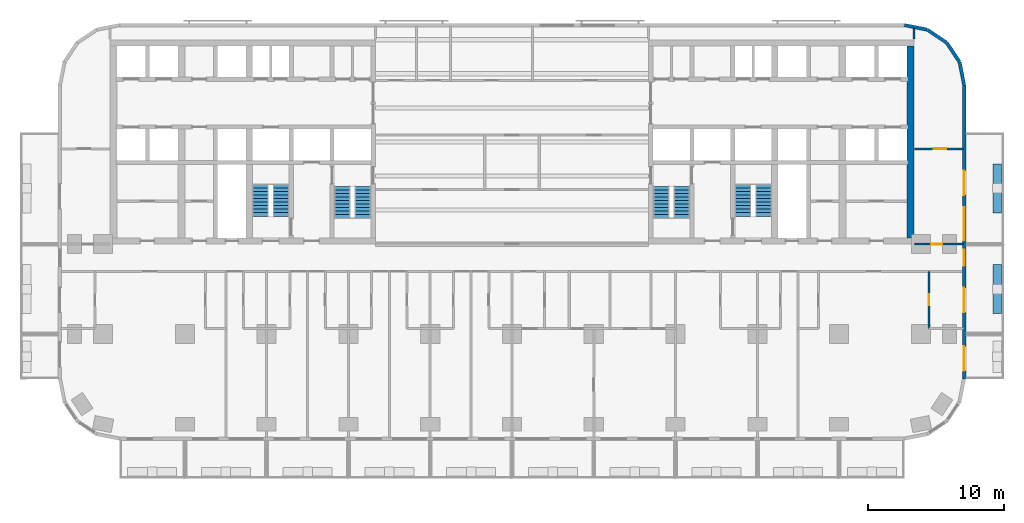
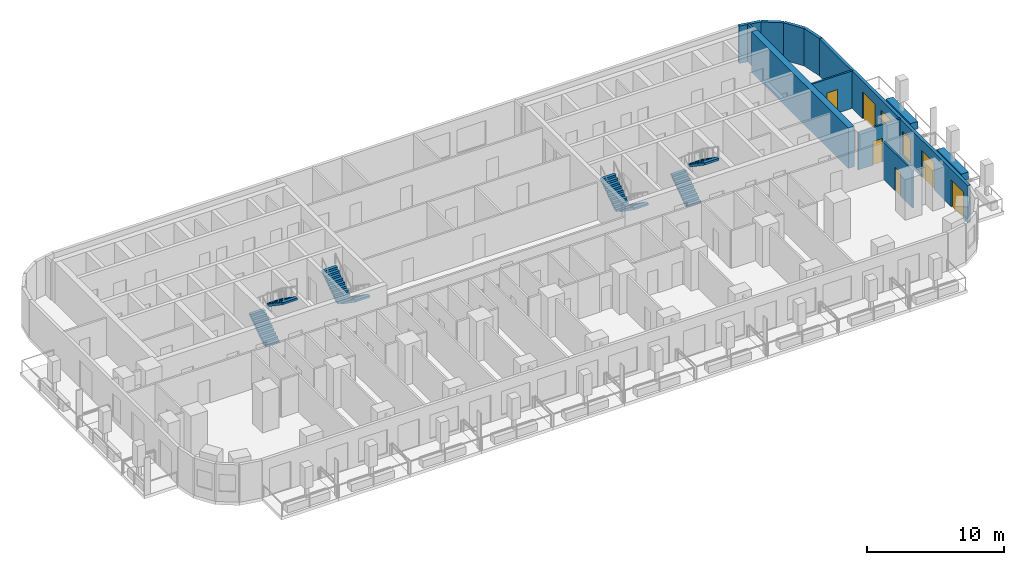
# One storey, part 9 of 14: 12 walls, 8 stair flights, 6 doors, 2 windows, 8 openings, 4 elements without a shape of their own.
"""IFC4 building model written with IfcOpenShell, lengths in metres."""

from ifc_helpers import new_model, si_unit, direction, frame, frame_2d, origin, place, context, subcontext, project, spatial, polyline, rectangle, outline, extrude, material, layer, layer_set, type_object, element, fill, aggregate, save


model = new_model("IFC4")

# Units and contexts
model_context = context("Model", 3, precision=1e-05, world=origin(), true_north=direction((0.0, 1.0)))
body_context = subcontext(model_context, "Body", "Model", "MODEL_VIEW")
ifc_project = project(units=[si_unit("LENGTHUNIT", "METRE"), si_unit("AREAUNIT", "SQUARE_METRE"), si_unit("VOLUMEUNIT", "CUBIC_METRE"), si_unit("PLANEANGLEUNIT", "RADIAN"), si_unit("MASSUNIT", "GRAM", prefix="KILO")], contexts=[model_context])

# Site, building, storey
site_placement = place(None, origin())
site = spatial("IfcSite", under=ifc_project, at=site_placement, CompositionType="ELEMENT")
building_placement = place(site_placement, origin())
building = spatial("IfcBuilding", under=site, at=building_placement, Name="Torana Hotel and Residences", CompositionType="ELEMENT")
storey_placement = place(building_placement, frame((0.0, 0.0, 63.60009765625)))
storey = spatial("IfcBuildingStorey", under=building, at=storey_placement, Name="L15", CompositionType="ELEMENT", Elevation=63.60009765625)

# Walls
ifc_material_1 = material(Name="Concrete C80/95", Category="concrete")
ifc_layer_1 = layer(ifc_material_1, 0.5)
ifc_layer_set_1 = layer_set([ifc_layer_1], Name="CORE WALL 500 C80/95")
wall_type_1 = type_object("IfcWallType", Name="CORE WALL 500 C80/95", PredefinedType="SHEAR", material=ifc_layer_set_1)
wall_1_placement = place(storey_placement, frame((29.25, -14.550048828125, 0.0), z_axis=(0.0, 0.0, 1.0), x_axis=(0.0, 1.0, 0.0)))
element("IfcWall", 1, at=wall_1_placement, inside=storey, type_object=wall_type_1, Name="Core wall E outer", PredefinedType="SHEAR", context=body_context, shape_type="SweptSolid", body=[
    extrude(rectangle(XDim=14.10009765625, YDim=0.5, at=frame_2d((7.050048828125, 0.0))), origin(), (0.0, 0.0, 1.0), 3.599853515625),
])
ifc_material_2 = material(Name="Black aluminium composite panel", Category="aluminium")
ifc_layer_2 = layer(ifc_material_2, 0.00390625, Name="Cladding", Category="cladding")
ifc_material_3 = material(Name="Ventilated air cavity")
ifc_layer_3 = layer(ifc_material_3, 0.0400390625, Name="Ventilated cavity", Category="cavity")
ifc_material_4 = material(Name="Mineral wool insulation")
ifc_layer_4 = layer(ifc_material_4, 0.090087890625, Name="Insulation", Category="insulation")
ifc_material_5 = material(Name="Steel S280GD", Category="steel")
ifc_layer_5 = layer(ifc_material_5, 0.092041015625, Name="Steel stud frame", Category="structure")
ifc_material_6 = material(Name="Fire rated plasterboard")
ifc_layer_6 = layer(ifc_material_6, 0.011962890625, Name="Inner board", Category="finish")
ifc_layer_7 = layer(ifc_material_6, 0.011962890625, Name="Second board", Category="finish")
ifc_layer_set_2 = layer_set([ifc_layer_2, ifc_layer_3, ifc_layer_4, ifc_layer_5, ifc_layer_6, ifc_layer_7], Name="EW1 EXTERNAL WALL BLACK METAL CLAD 250")
wall_type_2 = type_object("IfcWallType", Name="EW1 EXTERNAL WALL BLACK METAL CLAD 250", PredefinedType="SOLIDWALL", material=ifc_layer_set_2)
wall_2_placement = place(storey_placement, frame((33.172607421875, -3.30029296875, 0.0), z_axis=(0.0, 0.0, 1.0), x_axis=(-0.19513878023, 0.980775640221, 0.0)))
element("IfcWall", 2, at=wall_2_placement, inside=storey, type_object=wall_type_2, Name="External wall L15 e0.0", PredefinedType="SOLIDWALL", context=body_context, shape_type="SweptSolid", body=[
    extrude(rectangle(XDim=1.681396484375, YDim=0.25, at=frame_2d((0.8408203125, 0.0))), origin(), (0.0, 0.0, 1.0), 3.31982421875),
])
for number, where, z_axis, x_axis, name in (
    (3, (32.825927734375, -1.60595703125, 0.0), (0.0, 0.0, 1.0), (-0.55555029066, 0.831482937015, 0.0), "External wall L15 e0.1"),
    (4, (31.87109375, -0.1943359375, 0.0), (0.0, 0.0, 1.0), (-0.831482937015, 0.55555029066, 0.0), "External wall L15 e0.2"),
):
    element("IfcWall", number, at=place(storey_placement, frame(where, z_axis=z_axis, x_axis=x_axis)), inside=storey, type_object=wall_type_2, Name=name, PredefinedType="SOLIDWALL", context=body_context, shape_type="SweptSolid", body=[
        extrude(rectangle(XDim=1.65625, YDim=0.25, at=frame_2d((0.828125, 0.0))), origin(), (0.0, 0.0, 1.0), 3.31982421875),
    ])
wall_3_placement = place(storey_placement, frame((30.448974609375, 0.74462890625, 0.0), z_axis=(0.0, 0.0, 1.0), x_axis=(-0.980803419081, 0.194999110559, 0.0)))
element("IfcWall", 5, at=wall_3_placement, inside=storey, type_object=wall_type_2, Name="External wall L15 e0.3", PredefinedType="SOLIDWALL", context=body_context, shape_type="SweptSolid", body=[
    extrude(rectangle(XDim=1.681396484375, YDim=0.25, at=frame_2d((0.8408203125, 0.0))), origin(), (0.0, 0.0, 1.0), 3.31982421875),
])

# Wall, openings, doors, windows
wall_4_placement = place(storey_placement, frame((33.175048828125, -24.87548828125, 0.0), z_axis=(0.0, 0.0, 1.0), x_axis=(0.0, 1.0, 0.0)))
wall_4 = element("IfcWall", 6, at=wall_4_placement, inside=storey, type_object=wall_type_2, Name="External wall L15 e0.19", PredefinedType="SOLIDWALL", context=body_context, shape_type="SweptSolid", body=[
    extrude(rectangle(XDim=21.55078125, YDim=0.25, at=frame_2d((10.775390625, 0.0))), origin(), (0.0, 0.0, 1.0), 3.31982421875),
])
opening_1_placement = place(wall_4_placement, frame((0.575439453125, 0.0, 0.0)))
opening_1 = element("IfcOpeningElement", 7, at=opening_1_placement, cuts=wall_4, Name="Opening L15-E11", PredefinedType="OPENING", context=body_context, shape_type="SweptSolid", body=[
    extrude(rectangle(XDim=1.800048828125, YDim=2.39990234375, at=frame_2d((0.89990234375, 1.199951171875))), frame((0.0, 0.135009765625, 0.0), z_axis=(0.0, -1.0, 0.0), x_axis=(1.0, 0.0, 0.0)), (0.0, 0.0, 1.0), 0.27001953125),
])
opening_2_placement = place(wall_4_placement, frame((4.87548828125, 0.0, 0.0)))
opening_2 = element("IfcOpeningElement", 8, at=opening_2_placement, cuts=wall_4, Name="Opening L15-E12", PredefinedType="OPENING", context=body_context, shape_type="SweptSolid", body=[
    extrude(rectangle(XDim=1.800048828125, YDim=2.39990234375, at=frame_2d((0.89990234375, 1.199951171875))), frame((0.0, 0.135009765625, 0.0), z_axis=(0.0, -1.0, 0.0), x_axis=(1.0, 0.0, 0.0)), (0.0, 0.0, 1.0), 0.27001953125),
])
opening_3_placement = place(wall_4_placement, frame((8.275390625, 0.0, 0.300048828125)))
opening_3 = element("IfcOpeningElement", 9, at=opening_3_placement, cuts=wall_4, Name="Opening W7", PredefinedType="OPENING", context=body_context, shape_type="SweptSolid", body=[
    extrude(rectangle(XDim=1.199951171875, YDim=2.10009765625, at=frame_2d((0.60009765625, 1.050048828125))), frame((0.0, 0.135009765625, 0.0), z_axis=(0.0, -1.0, 0.0), x_axis=(1.0, 0.0, 0.0)), (0.0, 0.0, 1.0), 0.27001953125),
])
opening_4_placement = place(wall_4_placement, frame((10.17529296875, 0.0, 0.300048828125)))
opening_4 = element("IfcOpeningElement", 10, at=opening_4_placement, cuts=wall_4, Name="Opening W1", PredefinedType="OPENING", context=body_context, shape_type="SweptSolid", body=[
    extrude(rectangle(XDim=2.39990234375, YDim=2.10009765625, at=frame_2d((1.199951171875, 1.050048828125))), frame((0.0, 0.135009765625, 0.0), z_axis=(0.0, -1.0, 0.0), x_axis=(1.0, 0.0, 0.0)), (0.0, 0.0, 1.0), 0.27001953125),
])
opening_5_placement = place(wall_4_placement, frame((13.475341796875, 0.0, 0.0)))
opening_5 = element("IfcOpeningElement", 11, at=opening_5_placement, cuts=wall_4, Name="Opening L15-E13", PredefinedType="OPENING", context=body_context, shape_type="SweptSolid", body=[
    extrude(rectangle(XDim=1.800048828125, YDim=2.39990234375, at=frame_2d((0.89990234375, 1.199951171875))), frame((0.0, 0.135009765625, 0.0), z_axis=(0.0, -1.0, 0.0), x_axis=(1.0, 0.0, 0.0)), (0.0, 0.0, 1.0), 0.27001953125),
])
ifc_material_7 = material(Name="Dark glass in black aluminium frame", Category="aluminium")
door_type_1 = type_object("IfcDoorType", Name="DB1 BALCONY DOOR 1800x2400", OperationType="DOUBLE_DOOR_SINGLE_SWING", PredefinedType="DOOR", material=ifc_material_7)
door_1_placement = place(opening_1_placement, origin())
door_1 = element("IfcDoor", 12, at=door_1_placement, inside=storey, type_object=door_type_1, Name="Balcony door L15", OperationType="DOUBLE_DOOR_SINGLE_SWING", OverallHeight=2.39990234375, OverallWidth=1.800048828125, PredefinedType="DOOR", context=body_context, shape_type="SweptSolid", body=[
    extrude(rectangle(XDim=1.800048828125, YDim=2.39990234375, at=frame_2d((0.89990234375, 1.199951171875))), frame((0.0, 0.02490234375, 0.0), z_axis=(0.0, -1.0, 0.0), x_axis=(1.0, 0.0, 0.0)), (0.0, 0.0, 1.0), 0.050048828125),
])
fill(opening_1, door_1)
door_2_placement = place(opening_2_placement, origin())
door_2 = element("IfcDoor", 13, at=door_2_placement, inside=storey, type_object=door_type_1, Name="Balcony door L15", OperationType="DOUBLE_DOOR_SINGLE_SWING", OverallHeight=2.39990234375, OverallWidth=1.800048828125, PredefinedType="DOOR", context=body_context, shape_type="SweptSolid", body=[
    extrude(rectangle(XDim=1.800048828125, YDim=2.39990234375, at=frame_2d((0.89990234375, 1.199951171875))), frame((0.0, 0.02490234375, 0.0), z_axis=(0.0, -1.0, 0.0), x_axis=(1.0, 0.0, 0.0)), (0.0, 0.0, 1.0), 0.050048828125),
])
fill(opening_2, door_2)
door_3_placement = place(opening_5_placement, origin())
door_3 = element("IfcDoor", 14, at=door_3_placement, inside=storey, type_object=door_type_1, Name="Balcony door L15", OperationType="DOUBLE_DOOR_SINGLE_SWING", OverallHeight=2.39990234375, OverallWidth=1.800048828125, PredefinedType="DOOR", context=body_context, shape_type="SweptSolid", body=[
    extrude(rectangle(XDim=1.800048828125, YDim=2.39990234375, at=frame_2d((0.89990234375, 1.199951171875))), frame((0.0, 0.02490234375, 0.0), z_axis=(0.0, -1.0, 0.0), x_axis=(1.0, 0.0, 0.0)), (0.0, 0.0, 1.0), 0.050048828125),
])
fill(opening_5, door_3)
ifc_material_8 = material(Name="Dark glass in black aluminium frame", Category="aluminium")
window_type_1 = type_object("IfcWindowType", Name="W1 HOTEL ROOM WINDOW 2400x2100", PartitioningType="SINGLE_PANEL", PredefinedType="WINDOW", material=ifc_material_8)
window_1_placement = place(opening_4_placement, origin())
window_1 = element("IfcWindow", 15, at=window_1_placement, inside=storey, type_object=window_type_1, Name="Window L15", OverallHeight=2.10009765625, OverallWidth=2.39990234375, PartitioningType="SINGLE_PANEL", PredefinedType="WINDOW", context=body_context, shape_type="SweptSolid", body=[
    extrude(rectangle(XDim=2.39990234375, YDim=2.10009765625, at=frame_2d((1.199951171875, 1.050048828125))), frame((0.0, 0.030029296875, 0.0), z_axis=(0.0, -1.0, 0.0), x_axis=(1.0, 0.0, 0.0)), (0.0, 0.0, 1.0), 0.06005859375),
])
fill(opening_4, window_1)
ifc_material_9 = material(Name="Dark glass in black aluminium frame", Category="aluminium")
window_type_2 = type_object("IfcWindowType", Name="W7 HOTEL CORRIDOR WINDOW 1200x2100", PartitioningType="SINGLE_PANEL", PredefinedType="WINDOW", material=ifc_material_9)
window_2_placement = place(opening_3_placement, origin())
window_2 = element("IfcWindow", 16, at=window_2_placement, inside=storey, type_object=window_type_2, Name="Window L15", OverallHeight=2.10009765625, OverallWidth=1.199951171875, PartitioningType="SINGLE_PANEL", PredefinedType="WINDOW", context=body_context, shape_type="SweptSolid", body=[
    extrude(rectangle(XDim=1.199951171875, YDim=2.10009765625, at=frame_2d((0.60009765625, 1.050048828125))), frame((0.0, 0.030029296875, 0.0), z_axis=(0.0, -1.0, 0.0), x_axis=(1.0, 0.0, 0.0)), (0.0, 0.0, 1.0), 0.06005859375),
])
fill(opening_3, window_2)

# Wall, opening, door
ifc_material_10 = material(Name="Gypsum plaster")
ifc_layer_8 = layer(ifc_material_10, 0.014892578125, Name="Plaster", Category="finish")
ifc_material_11 = material(Name="Concrete blockwork", Category="masonry")
ifc_layer_9 = layer(ifc_material_11, 0.1201171875, Name="Blockwork", Category="structure")
ifc_layer_10 = layer(ifc_material_10, 0.014892578125, Name="Plaster", Category="finish")
ifc_layer_set_3 = layer_set([ifc_layer_8, ifc_layer_9, ifc_layer_10], Name="FIRE PARTITION 150 BLOCKWORK")
wall_type_3 = type_object("IfcWallType", Name="FIRE PARTITION 150 BLOCKWORK", PredefinedType="PARTITIONING", material=ifc_layer_set_3)
wall_5_placement = place(storey_placement, frame((29.550048828125, -15.0, 0.0), z_axis=(0.0, 0.0, 1.0), x_axis=(1.0, 0.0, 0.0)))
wall_5 = element("IfcWall", 17, at=wall_5_placement, inside=storey, type_object=wall_type_3, Name="Partition L15", PredefinedType="PARTITIONING", context=body_context, shape_type="SweptSolid", body=[
    extrude(rectangle(XDim=3.570068359375, YDim=0.14990234375, at=frame_2d((1.78515625, 0.0))), origin(), (0.0, 0.0, 1.0), 3.31982421875),
])
opening_6_placement = place(wall_5_placement, frame((1.205078125, 0.0, 0.0)))
opening_6 = element("IfcOpeningElement", 18, at=opening_6_placement, cuts=wall_5, Name="Opening L15-53", PredefinedType="OPENING", context=body_context, shape_type="SweptSolid", body=[
    extrude(rectangle(XDim=0.800048828125, YDim=2.10009765625, at=frame_2d((0.39990234375, 1.050048828125))), frame((0.0, 0.0849609375, 0.0), z_axis=(0.0, -1.0, 0.0), x_axis=(1.0, 0.0, 0.0)), (0.0, 0.0, 1.0), 0.169921875),
])
ifc_material_12 = material(Name="Steel S235", Category="steel")
door_type_2 = type_object("IfcDoorType", Name="STORE FIRE DOOR D16 800x2100", OperationType="SINGLE_SWING_LEFT", PredefinedType="DOOR", material=ifc_material_12)
door_4_placement = place(opening_6_placement, origin())
door_4 = element("IfcDoor", 19, at=door_4_placement, inside=storey, type_object=door_type_2, Name="Door L15", OperationType="SINGLE_SWING_RIGHT", OverallHeight=2.10009765625, OverallWidth=0.800048828125, PredefinedType="DOOR", context=body_context, shape_type="SweptSolid", body=[
    extrude(rectangle(XDim=0.800048828125, YDim=2.10009765625, at=frame_2d((0.39990234375, 1.050048828125))), frame((0.0, 0.02490234375, 0.0), z_axis=(0.0, -1.0, 0.0), x_axis=(1.0, 0.0, 0.0)), (0.0, 0.0, 1.0), 0.050048828125),
])
fill(opening_6, door_4)

ifc_material_13 = material(Name="Gypsum plasterboard")
ifc_layer_11 = layer(ifc_material_13, 0.012451171875, Name="Plasterboard", Category="finish")
ifc_layer_12 = layer(ifc_material_13, 0.012451171875, Name="Plasterboard", Category="finish")
ifc_layer_13 = layer(ifc_material_5, 0.10009765625, Name="Steel studs with mineral wool", Category="insulation")
ifc_layer_14 = layer(ifc_material_13, 0.012451171875, Name="Plasterboard", Category="finish")
ifc_layer_15 = layer(ifc_material_13, 0.012451171875, Name="Plasterboard", Category="finish")
ifc_layer_set_4 = layer_set([ifc_layer_11, ifc_layer_12, ifc_layer_13, ifc_layer_14, ifc_layer_15], Name="PARTITION 150 PLASTERBOARD")
wall_type_4 = type_object("IfcWallType", Name="PARTITION 150 PLASTERBOARD", PredefinedType="PARTITIONING", material=ifc_layer_set_4)
wall_6_placement = place(storey_placement, frame((30.60009765625, -21.199951171875, 0.0), z_axis=(0.0, 0.0, 1.0), x_axis=(0.0, 1.0, 0.0)))
wall_6 = element("IfcWall", 20, at=wall_6_placement, inside=storey, type_object=wall_type_4, Name="Partition L15", PredefinedType="PARTITIONING", context=body_context, shape_type="SweptSolid", body=[
    extrude(rectangle(XDim=4.199951171875, YDim=0.14990234375, at=frame_2d((2.10009765625, 0.0))), origin(), (0.0, 0.0, 1.0), 3.31982421875),
])
opening_7_placement = place(wall_6_placement, frame((1.719970703125, 0.0, 0.0)))
opening_7 = element("IfcOpeningElement", 21, at=opening_7_placement, cuts=wall_6, Name="Opening L15-80", PredefinedType="OPENING", context=body_context, shape_type="SweptSolid", body=[
    extrude(rectangle(XDim=0.800048828125, YDim=2.10009765625, at=frame_2d((0.39990234375, 1.050048828125))), frame((0.0, 0.0849609375, 0.0), z_axis=(0.0, -1.0, 0.0), x_axis=(1.0, 0.0, 0.0)), (0.0, 0.0, 1.0), 0.169921875),
])
ifc_material_14 = material(Name="Timber door, painted", Category="wood")
door_type_3 = type_object("IfcDoorType", Name="BATH DOOR D13 800x2100", OperationType="SINGLE_SWING_LEFT", PredefinedType="DOOR", material=ifc_material_14)
door_5_placement = place(opening_7_placement, origin())
door_5 = element("IfcDoor", 22, at=door_5_placement, inside=storey, type_object=door_type_3, Name="Door L15", OperationType="SINGLE_SWING_RIGHT", OverallHeight=2.10009765625, OverallWidth=0.800048828125, PredefinedType="DOOR", context=body_context, shape_type="SweptSolid", body=[
    extrude(rectangle(XDim=0.800048828125, YDim=2.10009765625, at=frame_2d((0.39990234375, 1.050048828125))), frame((0.0, 0.02490234375, 0.0), z_axis=(0.0, -1.0, 0.0), x_axis=(1.0, 0.0, 0.0)), (0.0, 0.0, 1.0), 0.050048828125),
])
fill(opening_7, door_5)

# Wall
wall_7_placement = place(storey_placement, frame((29.5, 0.050048828125, 0.0), z_axis=(0.0, 0.0, 1.0), x_axis=(0.0, 1.0, 0.0)))
element("IfcWall", 23, at=wall_7_placement, inside=storey, type_object=wall_type_4, Name="Partition L15", PredefinedType="PARTITIONING", context=body_context, shape_type="SweptSolid", body=[
    extrude(rectangle(XDim=0.8271484375, YDim=0.14990234375, at=frame_2d((0.41357421875, 0.0))), origin(), (0.0, 0.0, 1.0), 3.31982421875),
])

# Wall, opening, door
wall_8_placement = place(storey_placement, frame((29.550048828125, -8.0, 0.0), z_axis=(0.0, 0.0, 1.0), x_axis=(1.0, 0.0, 0.0)))
wall_8 = element("IfcWall", 24, at=wall_8_placement, inside=storey, type_object=wall_type_4, Name="Partition L15", PredefinedType="PARTITIONING", context=body_context, shape_type="SweptSolid", body=[
    extrude(rectangle(XDim=3.570068359375, YDim=0.14990234375, at=frame_2d((1.78515625, 0.0))), origin(), (0.0, 0.0, 1.0), 3.31982421875),
])
opening_8_placement = place(wall_8_placement, frame((1.39990234375, 0.0, 0.0)))
opening_8 = element("IfcOpeningElement", 25, at=opening_8_placement, cuts=wall_8, Name="Opening L15-82", PredefinedType="OPENING", context=body_context, shape_type="SweptSolid", body=[
    extrude(rectangle(XDim=0.89990234375, YDim=2.10009765625, at=frame_2d((0.449951171875, 1.050048828125))), frame((0.0, 0.0849609375, 0.0), z_axis=(0.0, -1.0, 0.0), x_axis=(1.0, 0.0, 0.0)), (0.0, 0.0, 1.0), 0.169921875),
])
ifc_material_15 = material(Name="Timber door, oiled ash", Category="wood")
door_type_4 = type_object("IfcDoorType", Name="ROOM DOOR D7 900x2100", OperationType="SINGLE_SWING_LEFT", PredefinedType="DOOR", material=ifc_material_15)
door_6_placement = place(opening_8_placement, origin())
door_6 = element("IfcDoor", 26, at=door_6_placement, inside=storey, type_object=door_type_4, Name="Door L15", OperationType="SINGLE_SWING_LEFT", OverallHeight=2.10009765625, OverallWidth=0.89990234375, PredefinedType="DOOR", context=body_context, shape_type="SweptSolid", body=[
    extrude(rectangle(XDim=0.89990234375, YDim=2.10009765625, at=frame_2d((0.449951171875, 1.050048828125))), frame((0.0, 0.02490234375, 0.0), z_axis=(0.0, -1.0, 0.0), x_axis=(1.0, 0.0, 0.0)), (0.0, 0.0, 1.0), 0.050048828125),
])
fill(opening_8, door_6)

# Walls
ifc_material_16 = material(Name="Concrete C40/50 precast", Category="concrete")
ifc_layer_16 = layer(ifc_material_16, 0.10009765625, Name="Planter shell", Category="structure")
ifc_material_17 = material(Name="Root resistant membrane")
ifc_layer_17 = layer(ifc_material_17, 0.00390625, Name="Waterproofing membrane", Category="membrane")
ifc_material_18 = material(Name="Drainage board with filter fleece")
ifc_layer_18 = layer(ifc_material_18, 0.02001953125, Name="Drainage board", Category="drainage")
ifc_material_19 = material(Name="Growing medium")
ifc_layer_19 = layer(ifc_material_19, 0.47607421875, Name="Planting substrate", Category="soil")
ifc_layer_set_5 = layer_set([ifc_layer_16, ifc_layer_17, ifc_layer_18, ifc_layer_19], Name="PL1 BALCONY PLANTER 600")
wall_type_5 = type_object("IfcWallType", Name="PL1 BALCONY PLANTER 600", PredefinedType="USERDEFINED", material=ifc_layer_set_5)
wall_9_placement = place(storey_placement, frame((35.60009765625, -16.5, 0.0), z_axis=(0.0, 0.0, 1.0), x_axis=(0.0, -1.0, 0.0)))
element("IfcWall", 27, at=wall_9_placement, inside=storey, type_object=wall_type_5, Name="Planter 15", ObjectType="PLANTER", PredefinedType="USERDEFINED", context=body_context, shape_type="SweptSolid", body=[
    extrude(rectangle(XDim=3.60009765625, YDim=0.60009765625, at=frame_2d((1.800048828125, 0.0))), origin(), (0.0, 0.0, 1.0), 0.64990234375),
])
wall_10_placement = place(storey_placement, frame((35.60009765625, -9.10009765625, 0.0), z_axis=(0.0, 0.0, 1.0), x_axis=(0.0, -1.0, 0.0)))
element("IfcWall", 28, at=wall_10_placement, inside=storey, type_object=wall_type_5, Name="Planter 16", ObjectType="PLANTER", PredefinedType="USERDEFINED", context=body_context, shape_type="SweptSolid", body=[
    extrude(rectangle(XDim=3.599853515625, YDim=0.60009765625, at=frame_2d((1.7998046875, 0.0))), origin(), (0.0, 0.0, 1.0), 0.64990234375),
])

# Stair, stair flights
ifc_material_20 = material(Name="Concrete C40/50 precast", Category="concrete")
stair_type_1 = type_object("IfcStairType", Name="STAIR ST1 HALF TURN 1200", PredefinedType="HALF_TURN_STAIR", material=ifc_material_20)
stair_1_placement = place(storey_placement, origin())
stair_1 = element("IfcStair", 29, at=stair_1_placement, inside=storey, type_object=stair_type_1, Name="Stair ST1 L15", PredefinedType="HALF_TURN_STAIR")
ifc_material_21 = material(Name="Concrete C40/50 precast", Category="concrete")
stair_flight_type = type_object("IfcStairFlightType", Name="STAIR FLIGHT 1200 PRECAST", PredefinedType="STRAIGHT", material=ifc_material_21)
stair_flight_1_placement = place(storey_placement, frame((-10.949951171875, -10.75, 0.0), z_axis=(0.0, 0.0, 1.0), x_axis=(0.0, -1.0, 0.0)))
stair_flight_1 = element("IfcStairFlight", 30, at=stair_flight_1_placement, type_object=stair_flight_type, Name="ST1 flight 1", NumberOfRisers=10, NumberOfTreads=9, PredefinedType="STRAIGHT", RiserHeight=0.18, TreadLength=0.26, context=body_context, shape_type="SweptSolid", body=[
    extrude(outline(polyline([(0.0, 0.0), (0.0, 0.179931640625), (0.260009765625, 0.179931640625), (0.260009765625, 0.360107421875), (0.52001953125, 0.360107421875), (0.52001953125, 0.5400390625), (0.780029296875, 0.5400390625), (0.780029296875, 0.719970703125), (1.0400390625, 0.719970703125), (1.0400390625, 0.89990234375), (1.300048828125, 0.89990234375), (1.300048828125, 1.080078125), (1.56005859375, 1.080078125), (1.56005859375, 1.260009765625), (1.820068359375, 1.260009765625), (1.820068359375, 1.43994140625), (2.080078125, 1.43994140625), (2.080078125, 1.6201171875), (2.340087890625, 1.6201171875), (2.340087890625, 1.800048828125), (2.340087890625, 1.437744140625), (0.263427734375, 0.0), (0.0, 0.0)])), frame((0.0, 0.60009765625, 0.0), z_axis=(0.0, -1.0, 0.0), x_axis=(1.0, 0.0, 0.0)), (0.0, 0.0, 1.0), 1.199951171875),
])
stair_flight_2_placement = place(storey_placement, frame((-12.449951171875, -13.090087890625, 1.7998046875), z_axis=(0.0, 0.0, 1.0), x_axis=(0.0, 1.0, 0.0)))
stair_flight_2 = element("IfcStairFlight", 31, at=stair_flight_2_placement, type_object=stair_flight_type, Name="ST1 flight 2", NumberOfRisers=10, NumberOfTreads=9, PredefinedType="STRAIGHT", RiserHeight=0.18, TreadLength=0.26, context=body_context, shape_type="SweptSolid", body=[
    extrude(outline(polyline([(0.0, 0.0), (0.0, 0.179931640625), (0.260009765625, 0.179931640625), (0.260009765625, 0.360107421875), (0.52001953125, 0.360107421875), (0.52001953125, 0.5400390625), (0.780029296875, 0.5400390625), (0.780029296875, 0.719970703125), (1.0400390625, 0.719970703125), (1.0400390625, 0.89990234375), (1.300048828125, 0.89990234375), (1.300048828125, 1.080078125), (1.56005859375, 1.080078125), (1.56005859375, 1.260009765625), (1.820068359375, 1.260009765625), (1.820068359375, 1.43994140625), (2.080078125, 1.43994140625), (2.080078125, 1.6201171875), (2.340087890625, 1.6201171875), (2.340087890625, 1.800048828125), (2.340087890625, 1.437744140625), (0.263427734375, 0.0), (0.0, 0.0)])), frame((0.0, 0.60009765625, 0.0), z_axis=(0.0, -1.0, 0.0), x_axis=(1.0, 0.0, 0.0)), (0.0, 0.0, 1.0), 1.199951171875),
])
aggregate(stair_1, [stair_flight_1, stair_flight_2])

ifc_material_22 = material(Name="Concrete C40/50 precast", Category="concrete")
stair_type_2 = type_object("IfcStairType", Name="STAIR ST2 HALF TURN 1200", PredefinedType="HALF_TURN_STAIR", material=ifc_material_22)
stair_2_placement = place(storey_placement, origin())
stair_2 = element("IfcStair", 32, at=stair_2_placement, inside=storey, type_object=stair_type_2, Name="Stair ST2 L15", PredefinedType="HALF_TURN_STAIR")
stair_flight_3_placement = place(storey_placement, frame((-18.449951171875, -12.949951171875, 0.0), z_axis=(0.0, 0.0, 1.0), x_axis=(0.0, 1.0, 0.0)))
stair_flight_3 = element("IfcStairFlight", 33, at=stair_flight_3_placement, type_object=stair_flight_type, Name="ST2 flight 1", NumberOfRisers=10, NumberOfTreads=9, PredefinedType="STRAIGHT", RiserHeight=0.18, TreadLength=0.26, context=body_context, shape_type="SweptSolid", body=[
    extrude(outline(polyline([(0.0, 0.0), (0.0, 0.179931640625), (0.260009765625, 0.179931640625), (0.260009765625, 0.360107421875), (0.52001953125, 0.360107421875), (0.52001953125, 0.5400390625), (0.780029296875, 0.5400390625), (0.780029296875, 0.719970703125), (1.0400390625, 0.719970703125), (1.0400390625, 0.89990234375), (1.300048828125, 0.89990234375), (1.300048828125, 1.080078125), (1.56005859375, 1.080078125), (1.56005859375, 1.260009765625), (1.820068359375, 1.260009765625), (1.820068359375, 1.43994140625), (2.080078125, 1.43994140625), (2.080078125, 1.6201171875), (2.340087890625, 1.6201171875), (2.340087890625, 1.800048828125), (2.340087890625, 1.437744140625), (0.263427734375, 0.0), (0.0, 0.0)])), frame((0.0, 0.60009765625, 0.0), z_axis=(0.0, -1.0, 0.0), x_axis=(1.0, 0.0, 0.0)), (0.0, 0.0, 1.0), 1.199951171875),
])
stair_flight_4_placement = place(storey_placement, frame((-16.949951171875, -10.610107421875, 1.7998046875), z_axis=(0.0, 0.0, 1.0), x_axis=(0.0, -1.0, 0.0)))
stair_flight_4 = element("IfcStairFlight", 34, at=stair_flight_4_placement, type_object=stair_flight_type, Name="ST2 flight 2", NumberOfRisers=10, NumberOfTreads=9, PredefinedType="STRAIGHT", RiserHeight=0.18, TreadLength=0.26, context=body_context, shape_type="SweptSolid", body=[
    extrude(outline(polyline([(0.0, 0.0), (0.0, 0.179931640625), (0.260009765625, 0.179931640625), (0.260009765625, 0.360107421875), (0.52001953125, 0.360107421875), (0.52001953125, 0.5400390625), (0.780029296875, 0.5400390625), (0.780029296875, 0.719970703125), (1.0400390625, 0.719970703125), (1.0400390625, 0.89990234375), (1.300048828125, 0.89990234375), (1.300048828125, 1.080078125), (1.56005859375, 1.080078125), (1.56005859375, 1.260009765625), (1.820068359375, 1.260009765625), (1.820068359375, 1.43994140625), (2.080078125, 1.43994140625), (2.080078125, 1.6201171875), (2.340087890625, 1.6201171875), (2.340087890625, 1.800048828125), (2.340087890625, 1.437744140625), (0.263427734375, 0.0), (0.0, 0.0)])), frame((0.0, 0.60009765625, 0.0), z_axis=(0.0, -1.0, 0.0), x_axis=(1.0, 0.0, 0.0)), (0.0, 0.0, 1.0), 1.199951171875),
])
aggregate(stair_2, [stair_flight_3, stair_flight_4])

ifc_material_23 = material(Name="Concrete C40/50 precast", Category="concrete")
stair_type_3 = type_object("IfcStairType", Name="STAIR ST3 HALF TURN 1200", PredefinedType="HALF_TURN_STAIR", material=ifc_material_23)
stair_3_placement = place(storey_placement, origin())
stair_3 = element("IfcStair", 35, at=stair_3_placement, inside=storey, type_object=stair_type_3, Name="Stair ST3 L15", PredefinedType="HALF_TURN_STAIR")
stair_flight_5_placement = place(storey_placement, frame((12.449951171875, -10.75, 0.0), z_axis=(0.0, 0.0, 1.0), x_axis=(0.0, -1.0, 0.0)))
stair_flight_5 = element("IfcStairFlight", 36, at=stair_flight_5_placement, type_object=stair_flight_type, Name="ST3 flight 1", NumberOfRisers=10, NumberOfTreads=9, PredefinedType="STRAIGHT", RiserHeight=0.18, TreadLength=0.26, context=body_context, shape_type="SweptSolid", body=[
    extrude(outline(polyline([(0.0, 0.0), (0.0, 0.179931640625), (0.260009765625, 0.179931640625), (0.260009765625, 0.360107421875), (0.52001953125, 0.360107421875), (0.52001953125, 0.5400390625), (0.780029296875, 0.5400390625), (0.780029296875, 0.719970703125), (1.0400390625, 0.719970703125), (1.0400390625, 0.89990234375), (1.300048828125, 0.89990234375), (1.300048828125, 1.080078125), (1.56005859375, 1.080078125), (1.56005859375, 1.260009765625), (1.820068359375, 1.260009765625), (1.820068359375, 1.43994140625), (2.080078125, 1.43994140625), (2.080078125, 1.6201171875), (2.340087890625, 1.6201171875), (2.340087890625, 1.800048828125), (2.340087890625, 1.437744140625), (0.263427734375, 0.0), (0.0, 0.0)])), frame((0.0, 0.60009765625, 0.0), z_axis=(0.0, -1.0, 0.0), x_axis=(1.0, 0.0, 0.0)), (0.0, 0.0, 1.0), 1.199951171875),
])
stair_flight_6_placement = place(storey_placement, frame((10.949951171875, -13.090087890625, 1.7998046875), z_axis=(0.0, 0.0, 1.0), x_axis=(0.0, 1.0, 0.0)))
stair_flight_6 = element("IfcStairFlight", 37, at=stair_flight_6_placement, type_object=stair_flight_type, Name="ST3 flight 2", NumberOfRisers=10, NumberOfTreads=9, PredefinedType="STRAIGHT", RiserHeight=0.18, TreadLength=0.26, context=body_context, shape_type="SweptSolid", body=[
    extrude(outline(polyline([(0.0, 0.0), (0.0, 0.179931640625), (0.260009765625, 0.179931640625), (0.260009765625, 0.360107421875), (0.52001953125, 0.360107421875), (0.52001953125, 0.5400390625), (0.780029296875, 0.5400390625), (0.780029296875, 0.719970703125), (1.0400390625, 0.719970703125), (1.0400390625, 0.89990234375), (1.300048828125, 0.89990234375), (1.300048828125, 1.080078125), (1.56005859375, 1.080078125), (1.56005859375, 1.260009765625), (1.820068359375, 1.260009765625), (1.820068359375, 1.43994140625), (2.080078125, 1.43994140625), (2.080078125, 1.6201171875), (2.340087890625, 1.6201171875), (2.340087890625, 1.800048828125), (2.340087890625, 1.437744140625), (0.263427734375, 0.0), (0.0, 0.0)])), frame((0.0, 0.60009765625, 0.0), z_axis=(0.0, -1.0, 0.0), x_axis=(1.0, 0.0, 0.0)), (0.0, 0.0, 1.0), 1.199951171875),
])
aggregate(stair_3, [stair_flight_5, stair_flight_6])

ifc_material_24 = material(Name="Concrete C40/50 precast", Category="concrete")
stair_type_4 = type_object("IfcStairType", Name="STAIR ST4 HALF TURN 1200", PredefinedType="HALF_TURN_STAIR", material=ifc_material_24)
stair_4_placement = place(storey_placement, origin())
stair_4 = element("IfcStair", 38, at=stair_4_placement, inside=storey, type_object=stair_type_4, Name="Stair ST4 L15", PredefinedType="HALF_TURN_STAIR")
stair_flight_7_placement = place(storey_placement, frame((16.949951171875, -12.949951171875, 0.0), z_axis=(0.0, 0.0, 1.0), x_axis=(0.0, 1.0, 0.0)))
stair_flight_7 = element("IfcStairFlight", 39, at=stair_flight_7_placement, type_object=stair_flight_type, Name="ST4 flight 1", NumberOfRisers=10, NumberOfTreads=9, PredefinedType="STRAIGHT", RiserHeight=0.18, TreadLength=0.26, context=body_context, shape_type="SweptSolid", body=[
    extrude(outline(polyline([(0.0, 0.0), (0.0, 0.179931640625), (0.260009765625, 0.179931640625), (0.260009765625, 0.360107421875), (0.52001953125, 0.360107421875), (0.52001953125, 0.5400390625), (0.780029296875, 0.5400390625), (0.780029296875, 0.719970703125), (1.0400390625, 0.719970703125), (1.0400390625, 0.89990234375), (1.300048828125, 0.89990234375), (1.300048828125, 1.080078125), (1.56005859375, 1.080078125), (1.56005859375, 1.260009765625), (1.820068359375, 1.260009765625), (1.820068359375, 1.43994140625), (2.080078125, 1.43994140625), (2.080078125, 1.6201171875), (2.340087890625, 1.6201171875), (2.340087890625, 1.800048828125), (2.340087890625, 1.437744140625), (0.263427734375, 0.0), (0.0, 0.0)])), frame((0.0, 0.60009765625, 0.0), z_axis=(0.0, -1.0, 0.0), x_axis=(1.0, 0.0, 0.0)), (0.0, 0.0, 1.0), 1.199951171875),
])
stair_flight_8_placement = place(storey_placement, frame((18.449951171875, -10.610107421875, 1.7998046875), z_axis=(0.0, 0.0, 1.0), x_axis=(0.0, -1.0, 0.0)))
stair_flight_8 = element("IfcStairFlight", 40, at=stair_flight_8_placement, type_object=stair_flight_type, Name="ST4 flight 2", NumberOfRisers=10, NumberOfTreads=9, PredefinedType="STRAIGHT", RiserHeight=0.18, TreadLength=0.26, context=body_context, shape_type="SweptSolid", body=[
    extrude(outline(polyline([(0.0, 0.0), (0.0, 0.179931640625), (0.260009765625, 0.179931640625), (0.260009765625, 0.360107421875), (0.52001953125, 0.360107421875), (0.52001953125, 0.5400390625), (0.780029296875, 0.5400390625), (0.780029296875, 0.719970703125), (1.0400390625, 0.719970703125), (1.0400390625, 0.89990234375), (1.300048828125, 0.89990234375), (1.300048828125, 1.080078125), (1.56005859375, 1.080078125), (1.56005859375, 1.260009765625), (1.820068359375, 1.260009765625), (1.820068359375, 1.43994140625), (2.080078125, 1.43994140625), (2.080078125, 1.6201171875), (2.340087890625, 1.6201171875), (2.340087890625, 1.800048828125), (2.340087890625, 1.437744140625), (0.263427734375, 0.0), (0.0, 0.0)])), frame((0.0, 0.60009765625, 0.0), z_axis=(0.0, -1.0, 0.0), x_axis=(1.0, 0.0, 0.0)), (0.0, 0.0, 1.0), 1.199951171875),
])
aggregate(stair_4, [stair_flight_7, stair_flight_8])

save(model, "model.ifc")
